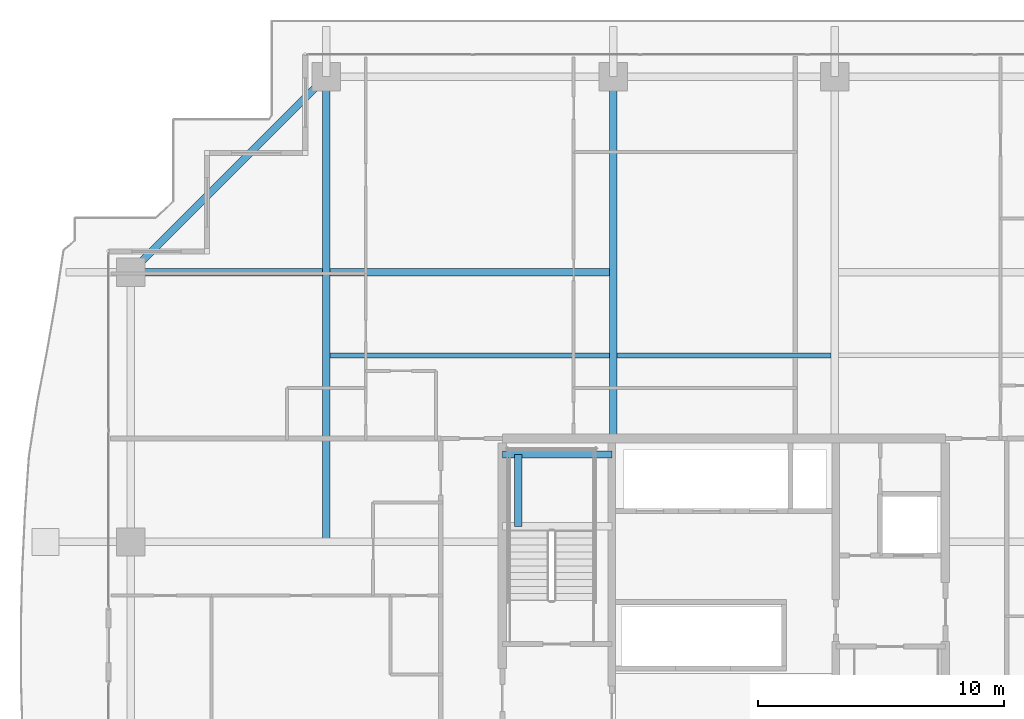
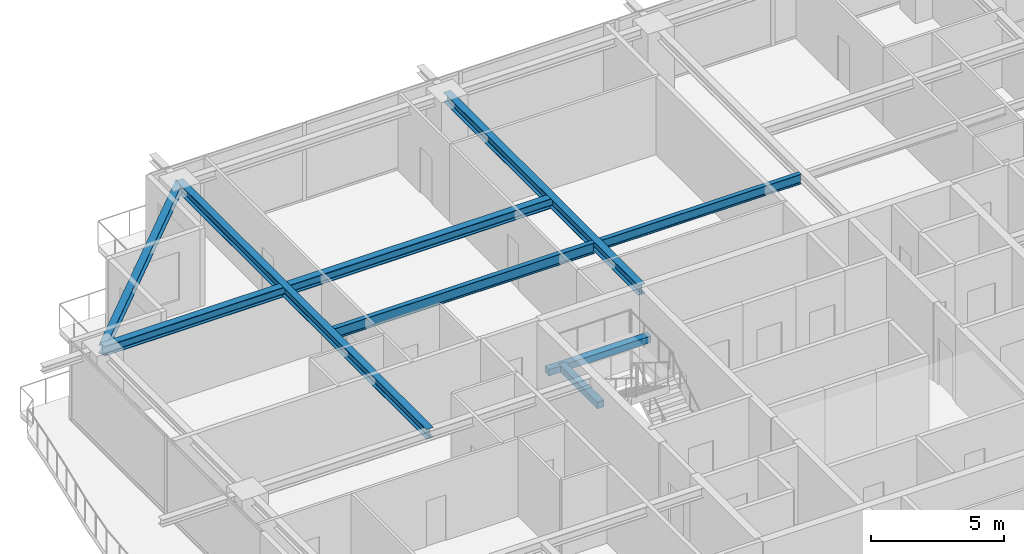
# One storey, part 17 of 35: 8 beams.
"""IFC4 building model written with IfcOpenShell, lengths in metres."""

import ifcopenshell
import ifcopenshell.guid

model = None  # the IFC model being written
_history = None  # IfcOwnerHistory: only IFC2X3 demands one
_inside = {}  # id of a spatial element -> (the spatial element, [elements in it])
_under = {}  # id of a project, library or spatial element -> (it, [spatial elements below it])
_declared = {}  # id of a project -> (the project, [libraries it declares])
_typed = {}  # id of a type object -> (the type object, [elements of that type])
_made_of = {}  # id of a material, layer set ... -> (it, [elements and type objects made of it])


def new_model(schema):
    """Start an empty IFC model of exactly this schema.

    Asked for "IFC4X3", IfcOpenShell would pick the latest addendum, in which some entities
    have other attributes; the version numbers below select the first issue.
    IFC2X3 requires an IfcOwnerHistory on every rooted entity: one is made here for all.
    """
    global model, _history
    if schema == "IFC4X3":
        model = ifcopenshell.file(schema_version=(4, 3, 0, 0))
    else:
        model = ifcopenshell.file(schema=schema)
    _inside.clear()
    _under.clear()
    _declared.clear()
    _typed.clear()
    _made_of.clear()
    _history = None
    if model.schema == "IFC2X3":
        org = make("IfcOrganization", Name="unknown")
        user = make(
            "IfcPersonAndOrganization",
            ThePerson=make("IfcPerson", FamilyName="unknown"),
            TheOrganization=org,
        )
        app = make(
            "IfcApplication",
            ApplicationDeveloper=org,
            Version="unknown",
            ApplicationFullName="unknown",
            ApplicationIdentifier="unknown",
        )
        _history = make(
            "IfcOwnerHistory",
            OwningUser=user,
            OwningApplication=app,
            ChangeAction="ADDED",
            CreationDate=0,
        )
    return model


def make(cls, **values):
    """One entity of the class cls with the attributes given. An attribute that is None is left unset."""
    return model.create_entity(
        cls, **{name: value for name, value in values.items() if value is not None}
    )


def rooted(cls, **values):
    """An entity with a GlobalId (a new one), such as an element, a storey or a relation."""
    return make(cls, GlobalId=ifcopenshell.guid.new(), OwnerHistory=_history, **values)


def si_unit(unit_type, name, prefix=None):
    """IfcSIUnit, for example si_unit("LENGTHUNIT", "METRE", prefix="MILLI")."""
    return make("IfcSIUnit", UnitType=unit_type, Prefix=prefix, Name=name)


def assignment(units):
    """IfcUnitAssignment: the units of a project."""
    return None if units is None else make("IfcUnitAssignment", Units=units)


def point(xyz):
    """IfcCartesianPoint."""
    return None if xyz is None else make("IfcCartesianPoint", Coordinates=xyz)


def direction(xyz):
    """IfcDirection."""
    return None if xyz is None else make("IfcDirection", DirectionRatios=xyz)


def frame(location, z_axis=None, x_axis=None):
    """IfcAxis2Placement3D, a coordinate frame: its origin and axes. An axis left out is left unset."""
    return make(
        "IfcAxis2Placement3D",
        Location=point(location),
        Axis=direction(z_axis),
        RefDirection=direction(x_axis),
    )


def frame_2d(location, x_axis=None):
    """IfcAxis2Placement2D, a coordinate frame in the plane: its origin and x axis."""
    return make(
        "IfcAxis2Placement2D", Location=point(location), RefDirection=direction(x_axis)
    )


def origin():
    """The frame at (0, 0, 0) with its axes left unset."""
    return frame((0.0, 0.0, 0.0))


def origin_2d():
    """The frame at (0, 0) in the plane with its x axis left unset."""
    return frame_2d((0.0, 0.0))


def place(relative_to, where):
    """IfcLocalPlacement: puts the frame where relative to a parent placement (None: the world)."""
    return make(
        "IfcLocalPlacement", PlacementRelTo=relative_to, RelativePlacement=where
    )


def context(
    kind, dimensions, precision=None, world=None, true_north=None, identifier=None
):
    """IfcGeometricRepresentationContext, for example the 3D "Model" context."""
    return make(
        "IfcGeometricRepresentationContext",
        ContextIdentifier=identifier,
        ContextType=kind,
        CoordinateSpaceDimension=dimensions,
        Precision=precision,
        WorldCoordinateSystem=world,
        TrueNorth=true_north,
    )


def subcontext(parent, identifier, kind, view, scale=None):
    """IfcGeometricRepresentationSubContext, for example "Body" below "Model"."""
    return make(
        "IfcGeometricRepresentationSubContext",
        ContextIdentifier=identifier,
        ContextType=kind,
        ParentContext=parent,
        TargetScale=scale,
        TargetView=view,
    )


def project(units=None, contexts=None):
    """IfcProject with its units and contexts."""
    return rooted(
        "IfcProject",
        Name="project",
        RepresentationContexts=contexts,
        UnitsInContext=assignment(units),
    )


def spatial(cls, under=None, at=None, **own):
    """A site, building, storey or space (cls), placed at a placement, below another one or the project."""
    s = rooted(cls, ObjectPlacement=at, **own)
    if under is not None:
        _under.setdefault(under.id(), (under, []))[1].append(s)
    return s


def profile(cls, at=None, kind="AREA", **sizes):
    """A parametric profile (cls). Its sizes go by their IFC names, for example OverallWidth=200.0."""
    return make(cls, ProfileType=kind, Position=at, **sizes)


def rectangle(**sizes):
    """IfcRectangleProfileDef."""
    return profile("IfcRectangleProfileDef", **sizes)


def i_section(**sizes):
    """IfcIShapeProfileDef."""
    return profile("IfcIShapeProfileDef", **sizes)


def extrude(swept, where, along, depth):
    """IfcExtrudedAreaSolid: the profile swept, set in the frame where, extruded along a direction by depth."""
    return make(
        "IfcExtrudedAreaSolid",
        SweptArea=swept,
        Position=where,
        ExtrudedDirection=direction(along),
        Depth=depth,
    )


def shape(context_of_items, identifier, shape_type, items):
    """IfcShapeRepresentation: the items that make up one representation, for example the "Body"."""
    return make(
        "IfcShapeRepresentation",
        ContextOfItems=context_of_items,
        RepresentationIdentifier=identifier,
        RepresentationType=shape_type,
        Items=items,
    )


def source(mapping_origin, context_of_items, identifier, shape_type, items):
    """IfcRepresentationMap: a shape defined once, which mapped items show again and again."""
    return make(
        "IfcRepresentationMap",
        MappingOrigin=mapping_origin,
        MappedRepresentation=shape(context_of_items, identifier, shape_type, items),
    )


def transform(
    local_origin,
    x_axis=None,
    y_axis=None,
    z_axis=None,
    scale=None,
    scale2=None,
    scale3=None,
    uniform=True,
):
    """IfcCartesianTransformationOperator3D, or its non-uniform kind. x_axis, y_axis, z_axis: its Axis1, 2, 3."""
    if uniform:
        return make(
            "IfcCartesianTransformationOperator3D",
            Axis1=direction(x_axis),
            Axis2=direction(y_axis),
            LocalOrigin=point(local_origin),
            Scale=scale,
            Axis3=direction(z_axis),
        )
    return make(
        "IfcCartesianTransformationOperator3DnonUniform",
        Axis1=direction(x_axis),
        Axis2=direction(y_axis),
        LocalOrigin=point(local_origin),
        Scale=scale,
        Axis3=direction(z_axis),
        Scale2=scale2,
        Scale3=scale3,
    )


def mapped(mapping_source, mapping_target):
    """IfcMappedItem: shows the shape of a source again, moved by a transform."""
    return make(
        "IfcMappedItem", MappingSource=mapping_source, MappingTarget=mapping_target
    )


def material(Name=None, Category=None):
    """IfcMaterial."""
    return make("IfcMaterial", Name=Name, Category=Category)


def material_profile(
    of_material, cross_section, Name=None, Category=None, Priority=None
):
    """IfcMaterialProfile: a cross section and its material."""
    return make(
        "IfcMaterialProfile",
        Name=Name,
        Material=of_material,
        Profile=cross_section,
        Priority=Priority,
        Category=Category,
    )


def profile_set(profiles, Name=None, composite=None):
    """IfcMaterialProfileSet."""
    return make(
        "IfcMaterialProfileSet",
        Name=Name,
        MaterialProfiles=profiles,
        CompositeProfile=composite,
    )


def made_of(thing, what):
    """Note that an element or type object is made of a material, layer set ...; save() writes the relation."""
    if what is not None:
        _made_of.setdefault(what.id(), (what, []))[1].append(thing)
    return thing


def type_object(cls, material=None, **own):
    """A type object (cls), such as IfcWallType, which elements share."""
    return made_of(rooted(cls, **own), material)


def element(
    cls,
    number,
    at=None,
    inside=None,
    cuts=None,
    type_object=None,
    material=None,
    context=None,
    identifier="Body",
    shape_type=None,
    held_by="IfcProductDefinitionShape",
    body=None,
    shapes=None,
    **own,
):
    """One element of the class cls, such as IfcWall. Its Tag is "e" and its number.

    at: its placement. inside: the storey or other place that contains it. cuts: it is an
    opening in that element (IfcRelVoidsElement). A single representation is given by context,
    identifier, shape_type and body (its items); several are given by shapes. held_by: the class
    of the entity that holds the representations. save() writes the other relations.
    """
    e = rooted(cls, Tag="e%d" % number, ObjectPlacement=at, **own)
    if body is not None:
        shapes = [shape(context, identifier, shape_type, body)]
    if shapes is not None:
        e.Representation = make(held_by, Representations=shapes)
    if inside is not None:
        _inside.setdefault(inside.id(), (inside, []))[1].append(e)
    if cuts is not None:
        rooted(
            "IfcRelVoidsElement", RelatingBuildingElement=cuts, RelatedOpeningElement=e
        )
    if type_object is not None:
        _typed.setdefault(type_object.id(), (type_object, []))[1].append(e)
    return made_of(e, material)


def aggregate(whole, parts):
    """IfcRelAggregates: a whole, such as a stair, and the parts it consists of."""
    return rooted("IfcRelAggregates", RelatingObject=whole, RelatedObjects=parts)


def save(model, path):
    """Write the relations noted so far, then the file.

    IfcRelAggregates (storeys below a building ...), IfcRelContainedInSpatialStructure (elements
    in a storey), IfcRelDefinesByType, IfcRelAssociatesMaterial and IfcRelDeclares: one each for
    every whole, place, type object, material and project.
    """
    for whole, parts in _under.values():
        aggregate(whole, parts)
    for where, things in _inside.values():
        rooted(
            "IfcRelContainedInSpatialStructure",
            RelatedElements=things,
            RelatingStructure=where,
        )
    for kind, things in _typed.values():
        rooted("IfcRelDefinesByType", RelatedObjects=things, RelatingType=kind)
    for what, things in _made_of.values():
        rooted("IfcRelAssociatesMaterial", RelatedObjects=things, RelatingMaterial=what)
    for by, libraries in _declared.values():
        rooted("IfcRelDeclares", RelatingContext=by, RelatedDefinitions=libraries)
    model.write(path)


model = new_model("IFC4")

# Units and contexts
model_context = context("Model", 3, precision=1e-05, world=origin(), true_north=direction((0.0, 1.0)))
body_context = subcontext(model_context, "Body", "Model", "MODEL_VIEW")
ifc_project = project(units=[si_unit("LENGTHUNIT", "METRE"), si_unit("AREAUNIT", "SQUARE_METRE"), si_unit("VOLUMEUNIT", "CUBIC_METRE"), si_unit("PLANEANGLEUNIT", "RADIAN"), si_unit("MASSUNIT", "GRAM", prefix="KILO")], contexts=[model_context])

# Site, building, storey
site_placement = place(None, origin())
site = spatial("IfcSite", under=ifc_project, at=site_placement, CompositionType="ELEMENT")
building_placement = place(site_placement, origin())
building = spatial("IfcBuilding", under=site, at=building_placement, Name="Serunith Strait Residences", CompositionType="ELEMENT")
storey_placement = place(building_placement, frame((0.0, 0.0, 210.449951171875)))
storey = spatial("IfcBuildingStorey", under=building, at=storey_placement, Name="L52", CompositionType="ELEMENT", Elevation=210.449951171875)

# Beams
ifc_material_1 = material(Name="Steel S355J2", Category="steel")
ifc_material_profile_1 = material_profile(ifc_material_1, i_section(OverallWidth=0.18994140625, OverallDepth=0.449951171875, WebThickness=0.009521484375, FlangeThickness=0.0146484375, FilletRadius=0.02099609375, at=origin_2d()), Name="IPE 450")
ifc_profile_set_1 = profile_set([ifc_material_profile_1], Name="Steel S355J2")
beam_type_1 = type_object("IfcBeamType", Name="BM-IPE450", PredefinedType="JOIST", material=ifc_profile_set_1)
shared_shape_1 = source(origin(), body_context, "Body", "SweptSolid", [
    extrude(i_section(OverallWidth=0.18994140625, OverallDepth=0.449951171875, WebThickness=0.009521484375, FlangeThickness=0.0146484375, FilletRadius=0.02099609375, at=origin_2d()), origin(), (0.0, 0.0, 1.0), 8.699951171875),
])
beam_1_placement = place(storey_placement, frame((28.050048828125, 36.97509765625, 3.362060546875), z_axis=(1.0, 0.0, 0.0), x_axis=(0.0, 1.0, 0.0)))
element("IfcBeam", 1, at=beam_1_placement, inside=storey, type_object=beam_type_1, Name="L52 Composite Floor Joist 05", PredefinedType="JOIST", context=body_context, shape_type="MappedRepresentation", body=[
    mapped(shared_shape_1, transform((0.0, 0.0, 0.0), scale=1.0)),
])
ifc_material_profile_2 = material_profile(ifc_material_1, i_section(OverallWidth=0.300048828125, OverallDepth=0.449951171875, WebThickness=0.013916015625, FlangeThickness=0.02587890625, FilletRadius=0.027099609375, at=origin_2d()), Name="HEB 450")
ifc_profile_set_2 = profile_set([ifc_material_profile_2], Name="Steel S355J2")
beam_type_2 = type_object("IfcBeamType", Name="BM-HEB450", PredefinedType="BEAM", material=ifc_profile_set_2)
shared_shape_2 = source(origin(), body_context, "Body", "SweptSolid", [
    extrude(i_section(OverallWidth=0.300048828125, OverallDepth=0.449951171875, WebThickness=0.013916015625, FlangeThickness=0.02587890625, FilletRadius=0.027099609375, at=origin_2d()), origin(), (0.0, 0.0, 1.0), 14.699951171875),
])
beam_2_placement = place(storey_placement, frame((27.89990234375, 33.60009765625, 3.362060546875), z_axis=(0.0, 1.0, 0.0), x_axis=(-1.0, 0.0, 0.0)))
element("IfcBeam", 2, at=beam_2_placement, inside=storey, type_object=beam_type_2, Name="L52 Primary Floor Girder TC-N2", PredefinedType="BEAM", context=body_context, shape_type="MappedRepresentation", body=[
    mapped(shared_shape_2, transform((0.0, 0.0, 0.0), scale=1.0)),
])
shared_shape_3 = source(origin(), body_context, "Body", "SweptSolid", [
    extrude(i_section(OverallWidth=0.300048828125, OverallDepth=0.449951171875, WebThickness=0.013916015625, FlangeThickness=0.02587890625, FilletRadius=0.027099609375, at=origin_2d()), origin(), (0.0, 0.0, 1.0), 18.900146484375),
])
beam_3_placement = place(storey_placement, frame((16.25, 29.39990234375, 3.362060546875), z_axis=(0.0, 1.0, 0.0), x_axis=(-1.0, 0.0, 0.0)))
element("IfcBeam", 3, at=beam_3_placement, inside=storey, type_object=beam_type_2, Name="L52 Orthogonal Corner Girder TC-N1", PredefinedType="BEAM", context=body_context, shape_type="MappedRepresentation", body=[
    mapped(shared_shape_3, transform((0.0, 0.0, 0.0), scale=1.0)),
])
shared_shape_4 = source(origin(), body_context, "Body", "SweptSolid", [
    extrude(i_section(OverallWidth=0.300048828125, OverallDepth=0.449951171875, WebThickness=0.013916015625, FlangeThickness=0.02587890625, FilletRadius=0.027099609375, at=origin_2d()), origin(), (0.0, 0.0, 1.0), 19.599853515625),
])
beam_4_placement = place(storey_placement, frame((27.89990234375, 40.35009765625, 3.362060546875), z_axis=(-1.0, 0.0, 0.0), x_axis=(0.0, -1.0, 0.0)))
element("IfcBeam", 4, at=beam_4_placement, inside=storey, type_object=beam_type_2, Name="L52 Orthogonal Corner Girder TC-W4", PredefinedType="BEAM", context=body_context, shape_type="MappedRepresentation", body=[
    mapped(shared_shape_4, transform((0.0, 0.0, 0.0), scale=1.0)),
])
ifc_material_profile_3 = material_profile(ifc_material_1, i_section(OverallWidth=0.300048828125, OverallDepth=0.39990234375, WebThickness=0.013427734375, FlangeThickness=0.02392578125, FilletRadius=0.027099609375, at=origin_2d()), Name="HEB 400")
ifc_profile_set_3 = profile_set([ifc_material_profile_3], Name="Steel S355J2")
beam_type_3 = type_object("IfcBeamType", Name="BM-HEB400", PredefinedType="BEAM", material=ifc_profile_set_3)
shared_shape_5 = source(origin(), body_context, "Body", "SweptSolid", [
    extrude(i_section(OverallWidth=0.300048828125, OverallDepth=0.39990234375, WebThickness=0.013427734375, FlangeThickness=0.02392578125, FilletRadius=0.027099609375, at=origin_2d()), origin(), (0.0, 0.0, 1.0), 11.242919921875),
])
beam_5_placement = place(storey_placement, frame((16.25, 48.300048828125, 3.35693359375), z_axis=(-0.707106781187, -0.707106781187, 0.0), x_axis=(0.707106781187, -0.707106781187, 0.0)))
element("IfcBeam", 5, at=beam_5_placement, inside=storey, type_object=beam_type_3, Name="L52 Perimeter Ring Beam 12", PredefinedType="BEAM", context=body_context, shape_type="MappedRepresentation", body=[
    mapped(shared_shape_5, transform((0.0, 0.0, 0.0), scale=1.0)),
])
ifc_material_profile_4 = material_profile(ifc_material_1, i_section(OverallWidth=0.199951171875, OverallDepth=0.5, WebThickness=0.01025390625, FlangeThickness=0.01611328125, FilletRadius=0.02099609375, at=origin_2d()), Name="IPE 500")
ifc_profile_set_4 = profile_set([ifc_material_profile_4], Name="Steel S355J2")
beam_type_4 = type_object("IfcBeamType", Name="BM-IPE500", PredefinedType="JOIST", material=ifc_profile_set_4)
shared_shape_6 = source(origin(), body_context, "Body", "SweptSolid", [
    extrude(i_section(OverallWidth=0.199951171875, OverallDepth=0.5, WebThickness=0.01025390625, FlangeThickness=0.01611328125, FilletRadius=0.02099609375, at=origin_2d()), origin(), (0.0, 0.0, 1.0), 11.35009765625),
])
beam_6_placement = place(storey_placement, frame((16.39990234375, 36.97509765625, 3.337158203125), z_axis=(1.0, 0.0, 0.0), x_axis=(0.0, 1.0, 0.0)))
element("IfcBeam", 6, at=beam_6_placement, inside=storey, type_object=beam_type_4, Name="L52 Composite Floor Joist 04", PredefinedType="JOIST", context=body_context, shape_type="MappedRepresentation", body=[
    mapped(shared_shape_6, transform((0.0, 0.0, 0.0), scale=1.0)),
])
ifc_material_2 = material(Name="Concrete C60/75", Category="concrete")
ifc_material_profile_5 = material_profile(ifc_material_2, rectangle(XDim=0.300048828125, YDim=0.300048828125, at=origin_2d()), Name="RC 300x300")
ifc_profile_set_5 = profile_set([ifc_material_profile_5], Name="Concrete C60/75")
beam_type_5 = type_object("IfcBeamType", Name="BM-LAND-300x300", PredefinedType="BEAM", material=ifc_profile_set_5)
shared_shape_7 = source(origin(), body_context, "Body", "SweptSolid", [
    extrude(rectangle(XDim=0.300048828125, YDim=0.300048828125, at=origin_2d()), origin(), (0.0, 0.0, 1.0), 4.4501953125),
])
beam_7_placement = place(storey_placement, frame((23.39990234375, 32.949951171875, 1.574951171875), z_axis=(1.0, 0.0, 0.0), x_axis=(0.0, 1.0, 0.0)))
element("IfcBeam", 7, at=beam_7_placement, inside=storey, type_object=beam_type_5, Name="L52 ST-1 Landing Support Beam 2", PredefinedType="BEAM", context=body_context, shape_type="MappedRepresentation", body=[
    mapped(shared_shape_7, transform((0.0, 0.0, 0.0), scale=1.0)),
])
shared_shape_8 = source(origin(), body_context, "Body", "SweptSolid", [
    extrude(rectangle(XDim=0.300048828125, YDim=0.300048828125, at=origin_2d()), origin(), (0.0, 0.0, 1.0), 2.919921875),
])
beam_8_placement = place(storey_placement, frame((24.050048828125, 30.030029296875, 1.574951171875), z_axis=(0.0, 1.0, 0.0), x_axis=(-1.0, 0.0, 0.0)))
element("IfcBeam", 8, at=beam_8_placement, inside=storey, type_object=beam_type_5, Name="L52 ST-1 Landing Transverse Tie Beam", PredefinedType="BEAM", context=body_context, shape_type="MappedRepresentation", body=[
    mapped(shared_shape_8, transform((0.0, 0.0, 0.0), scale=1.0)),
])

save(model, "model.ifc")
